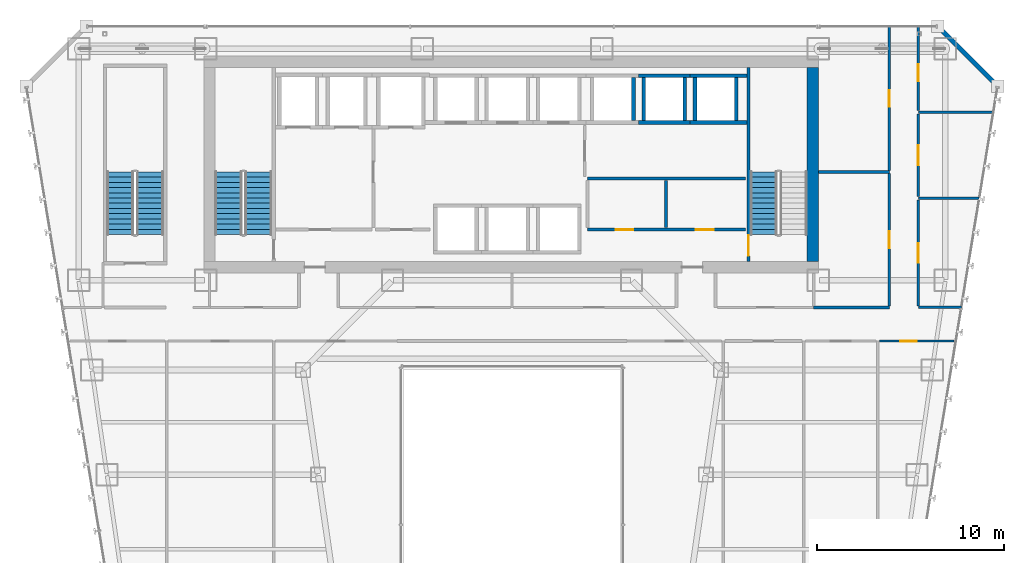
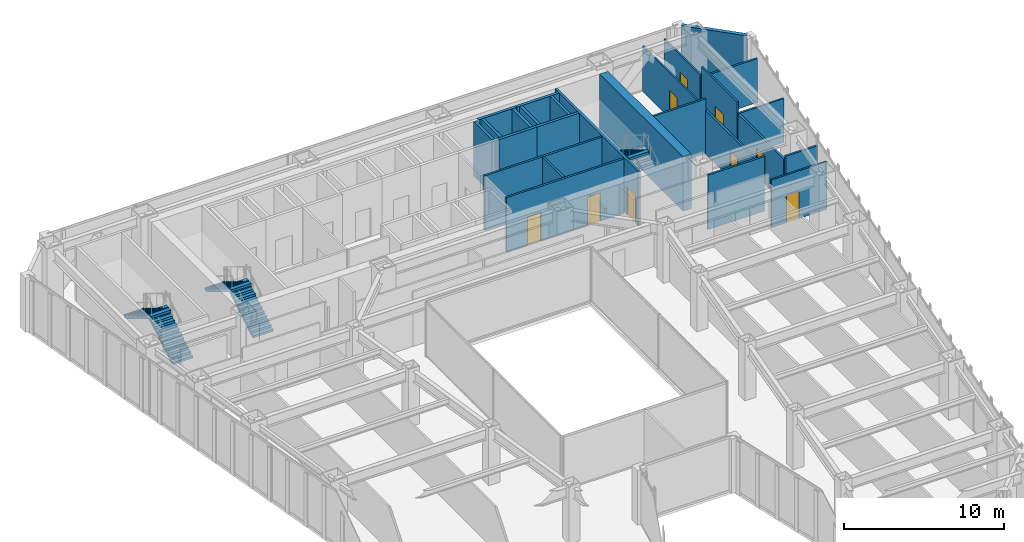
# One storey, part 38 of 47: 26 walls, 9 doors, 5 stair flights, 9 openings, 3 elements without a shape of their own.
"""IFC4 building model written with IfcOpenShell, lengths in metres."""

from ifc_helpers import new_model, si_unit, direction, frame, frame_2d, origin, place, context, subcontext, project, spatial, polyline, rectangle, outline, extrude, material, layer, layer_set, type_object, element, fill, aggregate, save


model = new_model("IFC4")

# Units and contexts
model_context = context("Model", 3, precision=1e-05, world=origin(), true_north=direction((0.0, 1.0)))
body_context = subcontext(model_context, "Body", "Model", "MODEL_VIEW")
ifc_project = project(units=[si_unit("LENGTHUNIT", "METRE"), si_unit("AREAUNIT", "SQUARE_METRE"), si_unit("VOLUMEUNIT", "CUBIC_METRE"), si_unit("PLANEANGLEUNIT", "RADIAN"), si_unit("MASSUNIT", "GRAM", prefix="KILO")], contexts=[model_context])

# Site, building, storey
site_placement = place(None, origin())
site = spatial("IfcSite", under=ifc_project, at=site_placement, CompositionType="ELEMENT")
building_placement = place(site_placement, origin())
building = spatial("IfcBuilding", under=site, at=building_placement, Name="Saevonmaru Cultural Tower", CompositionType="ELEMENT")
storey_placement = place(building_placement, frame((0.0, 0.0, 92.800048828125)))
storey = spatial("IfcBuildingStorey", under=building, at=storey_placement, Name="L19", CompositionType="ELEMENT", Elevation=92.800048828125)

# Wall
ifc_material_1 = material(Name="Concrete C60/75", Category="concrete")
ifc_layer_1 = layer(ifc_material_1, 0.60009765625, Name="Concrete C60/75")
ifc_layer_set_1 = layer_set([ifc_layer_1], Name="Concrete C60/75")
wall_type_1 = type_object("IfcWallType", Name="WL-CORE-600", PredefinedType="SHEAR", material=ifc_layer_set_1)
wall_1_placement = place(storey_placement, frame((46.10009765625, 43.39990234375, 0.0), z_axis=(0.0, 0.0, 1.0), x_axis=(0.0, 1.0, 0.0)))
element("IfcWall", 1, at=wall_1_placement, inside=storey, type_object=wall_type_1, Name="L19 Tower RC core shear wall E", PredefinedType="SHEAR", context=body_context, shape_type="SweptSolid", body=[
    extrude(rectangle(XDim=10.400146484375, YDim=0.60009765625, at=frame_2d((5.2001953125, 0.0))), origin(), (0.0, 0.0, 1.0), 4.14990234375),
])

# Wall, openings, doors
ifc_material_2 = material(Name="Gypsum Fireboard Partition", Category="gypsum")
ifc_layer_2 = layer(ifc_material_2, 0.14990234375, Name="Gypsum Fireboard Partition")
ifc_layer_set_2 = layer_set([ifc_layer_2], Name="Gypsum Fireboard Partition")
wall_type_2 = type_object("IfcWallType", Name="WL-CORE-PART-150", PredefinedType="PARTITIONING", material=ifc_layer_set_2)
wall_2_placement = place(storey_placement, frame((34.050048828125, 45.1201171875, 0.0), z_axis=(0.0, 0.0, 1.0), x_axis=(1.0, 0.0, 0.0)))
wall_2 = element("IfcWall", 2, at=wall_2_placement, inside=storey, type_object=wall_type_2, Name="L19 Core Plant South Wall", PredefinedType="PARTITIONING", context=body_context, shape_type="SweptSolid", body=[
    extrude(rectangle(XDim=8.449951171875, YDim=0.14990234375, at=frame_2d((4.22509765625, 0.0))), origin(), (0.0, 0.0, 1.0), 4.14990234375),
])
opening_1_placement = place(wall_2_placement, frame((1.5, 0.0, 0.0)))
opening_1 = element("IfcOpeningElement", 3, at=opening_1_placement, cuts=wall_2, Name="Opening FD-4", PredefinedType="OPENING", context=body_context, shape_type="SweptSolid", body=[
    extrude(rectangle(XDim=0.949951171875, YDim=2.14990234375, at=frame_2d((0.47509765625, 1.074951171875))), frame((0.0, 0.0849609375, 0.0), z_axis=(0.0, -1.0, 0.0), x_axis=(1.0, 0.0, 0.0)), (0.0, 0.0, 1.0), 0.169921875),
])
opening_2_placement = place(wall_2_placement, frame((5.800048828125, 0.0, 0.0)))
opening_2 = element("IfcOpeningElement", 4, at=opening_2_placement, cuts=wall_2, Name="Opening FD-4", PredefinedType="OPENING", context=body_context, shape_type="SweptSolid", body=[
    extrude(rectangle(XDim=0.949951171875, YDim=2.14990234375, at=frame_2d((0.47509765625, 1.074951171875))), frame((0.0, 0.0849609375, 0.0), z_axis=(0.0, -1.0, 0.0), x_axis=(1.0, 0.0, 0.0)), (0.0, 0.0, 1.0), 0.169921875),
])
ifc_material_3 = material(Name="Satin Bronze Anodised Aluminium", Category="aluminium")
door_type_1 = type_object("IfcDoorType", Name="DR-FD60-950", OperationType="SINGLE_SWING_LEFT", PredefinedType="DOOR", material=ifc_material_3)
door_1_placement = place(opening_1_placement, origin())
door_1 = element("IfcDoor", 5, at=door_1_placement, inside=storey, type_object=door_type_1, Name="L19 Floor AHU Plant Door", OperationType="SINGLE_SWING_LEFT", OverallHeight=2.14990234375, OverallWidth=0.949951171875, PredefinedType="DOOR", context=body_context, shape_type="SweptSolid", body=[
    extrude(rectangle(XDim=0.949951171875, YDim=2.14990234375, at=frame_2d((0.47509765625, 1.074951171875))), frame((0.0, 0.02490234375, 0.0), z_axis=(0.0, -1.0, 0.0), x_axis=(1.0, 0.0, 0.0)), (0.0, 0.0, 1.0), 0.050048828125),
])
fill(opening_1, door_1)
door_2_placement = place(opening_2_placement, origin())
door_2 = element("IfcDoor", 6, at=door_2_placement, inside=storey, type_object=door_type_1, Name="L19 Housekeeping Storage Door", OperationType="SINGLE_SWING_LEFT", OverallHeight=2.14990234375, OverallWidth=0.949951171875, PredefinedType="DOOR", context=body_context, shape_type="SweptSolid", body=[
    extrude(rectangle(XDim=0.949951171875, YDim=2.14990234375, at=frame_2d((0.47509765625, 1.074951171875))), frame((0.0, 0.02490234375, 0.0), z_axis=(0.0, -1.0, 0.0), x_axis=(1.0, 0.0, 0.0)), (0.0, 0.0, 1.0), 0.050048828125),
])
fill(opening_2, door_2)

# Walls
wall_3_placement = place(storey_placement, frame((34.050048828125, 47.85009765625, 0.0), z_axis=(0.0, 0.0, 1.0), x_axis=(1.0, 0.0, 0.0)))
element("IfcWall", 7, at=wall_3_placement, inside=storey, type_object=wall_type_2, Name="L19 Core Plant North Wall", PredefinedType="PARTITIONING", context=body_context, shape_type="SweptSolid", body=[
    extrude(rectangle(XDim=8.449951171875, YDim=0.14990234375, at=frame_2d((4.22509765625, 0.0))), origin(), (0.0, 0.0, 1.0), 4.14990234375),
])
wall_4_placement = place(storey_placement, frame((38.25, 45.219970703125, 0.0), z_axis=(0.0, 0.0, 1.0), x_axis=(0.0, 1.0, 0.0)))
element("IfcWall", 8, at=wall_4_placement, inside=storey, type_object=wall_type_2, Name="L19 Core Plant Split", PredefinedType="PARTITIONING", context=body_context, shape_type="SweptSolid", body=[
    extrude(rectangle(XDim=2.530029296875, YDim=0.14990234375, at=frame_2d((1.26513671875, 0.0))), origin(), (0.0, 0.0, 1.0), 4.14990234375),
])
ifc_material_4 = material(Name="Granite-Clad Precast Concrete C40/50", Category="masonry")
ifc_layer_3 = layer(ifc_material_4, 0.260009765625, Name="Granite-Clad Precast Concrete C40/50")
ifc_layer_set_3 = layer_set([ifc_layer_3], Name="Granite-Clad Precast Concrete C40/50")
wall_type_3 = type_object("IfcWallType", Name="WL-EXT-SPANDREL-260", PredefinedType="STANDARD", material=ifc_layer_set_3)
wall_5_placement = place(storey_placement, frame((55.886962890625, 52.9130859375, 0.0), z_axis=(0.0, 0.0, 1.0), x_axis=(-0.707106781187, 0.707106781187, 0.0)))
element("IfcWall", 9, at=wall_5_placement, inside=storey, type_object=wall_type_3, Name="L19 Chamfer Corner Spandrel Wall E9", PredefinedType="STANDARD", context=body_context, shape_type="SweptSolid", body=[
    extrude(rectangle(XDim=4.205810546875, YDim=0.260009765625, at=frame_2d((2.10302734375, 0.0))), origin(), (0.0, 0.0, 1.0), 4.14990234375),
])

# Wall, opening, door
ifc_layer_4 = layer(ifc_material_2, 0.14990234375, Name="Gypsum Fireboard Partition")
ifc_layer_set_4 = layer_set([ifc_layer_4], Name="Gypsum Fireboard Partition")
wall_type_4 = type_object("IfcWallType", Name="WL-PART-FIRE-150", PredefinedType="PARTITIONING", material=ifc_layer_set_4)
wall_6_placement = place(storey_placement, frame((51.75, 41.03759765625, 0.0), z_axis=(0.0, 0.0, 1.0), x_axis=(0.0, 1.0, 0.0)))
wall_6 = element("IfcWall", 10, at=wall_6_placement, inside=storey, type_object=wall_type_4, Name="L19 East Asian Ceramics Gallery Corridor Wall", PredefinedType="PARTITIONING", context=body_context, shape_type="SweptSolid", body=[
    extrude(rectangle(XDim=5.6748046875, YDim=0.14990234375, at=frame_2d((2.83740234375, 0.0))), origin(), (0.0, 0.0, 1.0), 3.3349609375),
])
opening_3_placement = place(wall_6_placement, frame((2.31201171875, 0.0, 0.0)))
opening_3 = element("IfcOpeningElement", 11, at=opening_3_placement, cuts=wall_6, Name="Opening ID-1", PredefinedType="OPENING", context=body_context, shape_type="SweptSolid", body=[
    extrude(rectangle(XDim=1.050048828125, YDim=2.14990234375, at=frame_2d((0.52490234375, 1.074951171875))), frame((0.0, 0.0849609375, 0.0), z_axis=(0.0, -1.0, 0.0), x_axis=(1.0, 0.0, 0.0)), (0.0, 0.0, 1.0), 0.169921875),
])
door_type_2 = type_object("IfcDoorType", Name="DR-INT-1050", OperationType="SINGLE_SWING_LEFT", PredefinedType="DOOR", material=ifc_material_3)
door_3_placement = place(opening_3_placement, origin())
door_3 = element("IfcDoor", 12, at=door_3_placement, inside=storey, type_object=door_type_2, Name="L19 East Asian Ceramics Gallery Door", OperationType="SINGLE_SWING_RIGHT", OverallHeight=2.14990234375, OverallWidth=1.050048828125, PredefinedType="DOOR", context=body_context, shape_type="SweptSolid", body=[
    extrude(rectangle(XDim=1.050048828125, YDim=2.14990234375, at=frame_2d((0.52490234375, 1.074951171875))), frame((0.0, 0.02490234375, 0.0), z_axis=(0.0, -1.0, 0.0), x_axis=(1.0, 0.0, 0.0)), (0.0, 0.0, 1.0), 0.050048828125),
])
fill(opening_3, door_3)

ifc_layer_5 = layer(ifc_material_2, 0.1201171875, Name="Gypsum Fireboard Partition")
ifc_layer_set_5 = layer_set([ifc_layer_5], Name="Gypsum Fireboard Partition")
wall_type_5 = type_object("IfcWallType", Name="WL-PART-GYP-120", PredefinedType="PARTITIONING", material=ifc_layer_set_5)
wall_7_placement = place(storey_placement, frame((50.199951171875, 48.2900390625, 0.0), z_axis=(0.0, 0.0, 1.0), x_axis=(0.0, 1.0, 0.0)))
wall_7 = element("IfcWall", 13, at=wall_7_placement, inside=storey, type_object=wall_type_5, Name="L19 Urban Design Meeting Room Corridor Wall", PredefinedType="PARTITIONING", context=body_context, shape_type="SweptSolid", body=[
    extrude(rectangle(XDim=7.705078125, YDim=0.1201171875, at=frame_2d((3.8525390625, 0.0))), origin(), (0.0, 0.0, 1.0), 3.43505859375),
])
opening_4_placement = place(wall_7_placement, frame((3.402099609375, 0.0, 0.0)))
opening_4 = element("IfcOpeningElement", 14, at=opening_4_placement, cuts=wall_7, Name="Opening ID-2", PredefinedType="OPENING", context=body_context, shape_type="SweptSolid", body=[
    extrude(rectangle(XDim=0.89990234375, YDim=2.10009765625, at=frame_2d((0.449951171875, 1.050048828125))), frame((0.0, 0.070068359375, 0.0), z_axis=(0.0, -1.0, 0.0), x_axis=(1.0, 0.0, 0.0)), (0.0, 0.0, 1.0), 0.14013671875),
])
ifc_material_5 = material(Name="Acoustic Stained Oak Timber", Category="wood")
door_type_3 = type_object("IfcDoorType", Name="DR-INT-900", OperationType="SINGLE_SWING_RIGHT", PredefinedType="DOOR", material=ifc_material_5)
door_4_placement = place(opening_4_placement, origin())
door_4 = element("IfcDoor", 15, at=door_4_placement, inside=storey, type_object=door_type_3, Name="L19 Urban Design Meeting Room Door", OperationType="SINGLE_SWING_LEFT", OverallHeight=2.10009765625, OverallWidth=0.89990234375, PredefinedType="DOOR", context=body_context, shape_type="SweptSolid", body=[
    extrude(rectangle(XDim=0.89990234375, YDim=2.10009765625, at=frame_2d((0.449951171875, 1.050048828125))), frame((0.0, 0.02490234375, 0.0), z_axis=(0.0, -1.0, 0.0), x_axis=(1.0, 0.0, 0.0)), (0.0, 0.0, 1.0), 0.050048828125),
])
fill(opening_4, door_4)

wall_8_placement = place(storey_placement, frame((51.75, 46.887451171875, 0.0), z_axis=(0.0, 0.0, 1.0), x_axis=(0.0, 1.0, 0.0)))
wall_8 = element("IfcWall", 16, at=wall_8_placement, inside=storey, type_object=wall_type_5, Name="L19 Rare Folio Reading Room Corridor Wall", PredefinedType="PARTITIONING", context=body_context, shape_type="SweptSolid", body=[
    extrude(rectangle(XDim=4.425048828125, YDim=0.1201171875, at=frame_2d((2.21240234375, 0.0))), origin(), (0.0, 0.0, 1.0), 4.14990234375),
])
opening_5_placement = place(wall_8_placement, frame((1.68701171875, 0.0, 0.0)))
opening_5 = element("IfcOpeningElement", 17, at=opening_5_placement, cuts=wall_8, Name="Opening ID-1", PredefinedType="OPENING", context=body_context, shape_type="SweptSolid", body=[
    extrude(rectangle(XDim=1.050048828125, YDim=2.14990234375, at=frame_2d((0.52490234375, 1.074951171875))), frame((0.0, 0.070068359375, 0.0), z_axis=(0.0, -1.0, 0.0), x_axis=(1.0, 0.0, 0.0)), (0.0, 0.0, 1.0), 0.14013671875),
])
door_5_placement = place(opening_5_placement, origin())
door_5 = element("IfcDoor", 18, at=door_5_placement, inside=storey, type_object=door_type_2, Name="L19 Rare Folio Reading Room Door", OperationType="SINGLE_SWING_LEFT", OverallHeight=2.14990234375, OverallWidth=1.050048828125, PredefinedType="DOOR", context=body_context, shape_type="SweptSolid", body=[
    extrude(rectangle(XDim=1.050048828125, YDim=2.14990234375, at=frame_2d((0.52490234375, 1.074951171875))), frame((0.0, 0.02490234375, 0.0), z_axis=(0.0, -1.0, 0.0), x_axis=(1.0, 0.0, 0.0)), (0.0, 0.0, 1.0), 0.050048828125),
])
fill(opening_5, door_5)

wall_9_placement = place(storey_placement, frame((51.75, 51.487548828125, 0.0), z_axis=(0.0, 0.0, 1.0), x_axis=(0.0, 1.0, 0.0)))
wall_9 = element("IfcWall", 19, at=wall_9_placement, inside=storey, type_object=wall_type_5, Name="L19 Translation Research Office Corridor Wall", PredefinedType="PARTITIONING", context=body_context, shape_type="SweptSolid", body=[
    extrude(rectangle(XDim=4.507568359375, YDim=0.1201171875, at=frame_2d((2.25390625, 0.0))), origin(), (0.0, 0.0, 1.0), 3.43505859375),
])
opening_6_placement = place(wall_9_placement, frame((1.583984375, 0.0, 0.0)))
opening_6 = element("IfcOpeningElement", 20, at=opening_6_placement, cuts=wall_9, Name="Opening ID-2", PredefinedType="OPENING", context=body_context, shape_type="SweptSolid", body=[
    extrude(rectangle(XDim=0.89990234375, YDim=2.10009765625, at=frame_2d((0.449951171875, 1.050048828125))), frame((0.0, 0.070068359375, 0.0), z_axis=(0.0, -1.0, 0.0), x_axis=(1.0, 0.0, 0.0)), (0.0, 0.0, 1.0), 0.14013671875),
])
door_6_placement = place(opening_6_placement, origin())
door_6 = element("IfcDoor", 21, at=door_6_placement, inside=storey, type_object=door_type_3, Name="L19 Translation Research Office Door", OperationType="SINGLE_SWING_RIGHT", OverallHeight=2.10009765625, OverallWidth=0.89990234375, PredefinedType="DOOR", context=body_context, shape_type="SweptSolid", body=[
    extrude(rectangle(XDim=0.89990234375, YDim=2.10009765625, at=frame_2d((0.449951171875, 1.050048828125))), frame((0.0, 0.02490234375, 0.0), z_axis=(0.0, -1.0, 0.0), x_axis=(1.0, 0.0, 0.0)), (0.0, 0.0, 1.0), 0.050048828125),
])
fill(opening_6, door_6)

wall_10_placement = place(storey_placement, frame((49.66748046875, 39.14990234375, 0.0), z_axis=(0.0, 0.0, 1.0), x_axis=(1.0, 0.0, 0.0)))
wall_10 = element("IfcWall", 22, at=wall_10_placement, inside=storey, type_object=wall_type_5, Name="L19 Translation Research Office Corridor Wall", PredefinedType="PARTITIONING", context=body_context, shape_type="SweptSolid", body=[
    extrude(rectangle(XDim=3.99853515625, YDim=0.1201171875, at=frame_2d((1.999267578125, 0.0))), origin(), (0.0, 0.0, 1.0), 3.635009765625),
])
opening_7_placement = place(wall_10_placement, frame((1.10888671875, 0.0, 0.0)))
opening_7 = element("IfcOpeningElement", 23, at=opening_7_placement, cuts=wall_10, Name="Opening ID-2", PredefinedType="OPENING", context=body_context, shape_type="SweptSolid", body=[
    extrude(rectangle(XDim=0.89990234375, YDim=2.10009765625, at=frame_2d((0.449951171875, 1.050048828125))), frame((0.0, 0.070068359375, 0.0), z_axis=(0.0, -1.0, 0.0), x_axis=(1.0, 0.0, 0.0)), (0.0, 0.0, 1.0), 0.14013671875),
])
door_7_placement = place(opening_7_placement, origin())
door_7 = element("IfcDoor", 24, at=door_7_placement, inside=storey, type_object=door_type_3, Name="L19 Translation Research Office Door", OperationType="SINGLE_SWING_LEFT", OverallHeight=2.10009765625, OverallWidth=0.89990234375, PredefinedType="DOOR", context=body_context, shape_type="SweptSolid", body=[
    extrude(rectangle(XDim=0.89990234375, YDim=2.10009765625, at=frame_2d((0.449951171875, 1.050048828125))), frame((0.0, 0.02490234375, 0.0), z_axis=(0.0, -1.0, 0.0), x_axis=(1.0, 0.0, 0.0)), (0.0, 0.0, 1.0), 0.050048828125),
])
fill(opening_7, door_7)

# Walls
ifc_layer_6 = layer(ifc_material_2, 0.135009765625, Name="Gypsum Fireboard Partition")
ifc_layer_set_6 = layer_set([ifc_layer_6], Name="Gypsum Fireboard Partition")
wall_type_6 = type_object("IfcWallType", Name="WL-PART-GYP-135", PredefinedType="PARTITIONING", material=ifc_layer_set_6)
wall_11_placement = place(storey_placement, frame((51.75, 40.949951171875, 0.0), z_axis=(0.0, 0.0, 1.0), x_axis=(1.0, 0.0, 0.0)))
element("IfcWall", 25, at=wall_11_placement, inside=storey, type_object=wall_type_6, Name="L19 NE Wing South Wall", PredefinedType="PARTITIONING", context=body_context, shape_type="SweptSolid", body=[
    extrude(rectangle(XDim=2.302978515625, YDim=0.135009765625, at=frame_2d((1.1513671875, 0.0))), origin(), (0.0, 0.0, 1.0), 3.635009765625),
])
wall_12_placement = place(storey_placement, frame((51.75, 46.800048828125, 0.0), z_axis=(0.0, 0.0, 1.0), x_axis=(1.0, 0.0, 0.0)))
element("IfcWall", 26, at=wall_12_placement, inside=storey, type_object=wall_type_6, Name="L19 NE Studio Divider 1", PredefinedType="PARTITIONING", context=body_context, shape_type="SweptSolid", body=[
    extrude(rectangle(XDim=3.26171875, YDim=0.135009765625, at=frame_2d((1.630859375, 0.0))), origin(), (0.0, 0.0, 1.0), 3.3349609375),
])
wall_13_placement = place(storey_placement, frame((51.75, 51.39990234375, 0.0), z_axis=(0.0, 0.0, 1.0), x_axis=(1.0, 0.0, 0.0)))
element("IfcWall", 27, at=wall_13_placement, inside=storey, type_object=wall_type_6, Name="L19 NE Studio Divider 2", PredefinedType="PARTITIONING", context=body_context, shape_type="SweptSolid", body=[
    extrude(rectangle(XDim=4.015380859375, YDim=0.135009765625, at=frame_2d((2.0078125, 0.0))), origin(), (0.0, 0.0, 1.0), 3.3349609375),
])
ifc_layer_7 = layer(ifc_material_2, 0.139892578125, Name="Gypsum Fireboard Partition")
ifc_layer_set_7 = layer_set([ifc_layer_7], Name="Gypsum Fireboard Partition")
wall_type_7 = type_object("IfcWallType", Name="WL-PART-WET-140", PredefinedType="PARTITIONING", material=ifc_layer_set_7)
wall_14_placement = place(storey_placement, frame((46.14990234375, 40.949951171875, 0.0), z_axis=(0.0, 0.0, 1.0), x_axis=(1.0, 0.0, 0.0)))
element("IfcWall", 28, at=wall_14_placement, inside=storey, type_object=wall_type_7, Name="L19 Washroom South Wall", PredefinedType="PARTITIONING", context=body_context, shape_type="SweptSolid", body=[
    extrude(rectangle(XDim=4.050048828125, YDim=0.139892578125, at=frame_2d((2.02490234375, 0.0))), origin(), (0.0, 0.0, 1.0), 4.14990234375),
])
wall_15_placement = place(storey_placement, frame((46.419921875, 48.199951171875, 0.0), z_axis=(0.0, 0.0, 1.0), x_axis=(1.0, 0.0, 0.0)))
element("IfcWall", 29, at=wall_15_placement, inside=storey, type_object=wall_type_7, Name="L19 Washroom North Wall", PredefinedType="PARTITIONING", context=body_context, shape_type="SweptSolid", body=[
    extrude(rectangle(XDim=3.780029296875, YDim=0.139892578125, at=frame_2d((1.89013671875, 0.0))), origin(), (0.0, 0.0, 1.0), 4.14990234375),
])

# Wall, opening, door
wall_16_placement = place(storey_placement, frame((50.199951171875, 41.0400390625, 0.0), z_axis=(0.0, 0.0, 1.0), x_axis=(0.0, 1.0, 0.0)))
wall_16 = element("IfcWall", 30, at=wall_16_placement, inside=storey, type_object=wall_type_7, Name="L19 Washroom Corridor Wall", PredefinedType="PARTITIONING", context=body_context, shape_type="SweptSolid", body=[
    extrude(rectangle(XDim=7.070068359375, YDim=0.139892578125, at=frame_2d((3.53515625, 0.0))), origin(), (0.0, 0.0, 1.0), 3.3349609375),
])
opening_8_placement = place(wall_16_placement, frame((3.0849609375, 0.0, 0.0)))
opening_8 = element("IfcOpeningElement", 31, at=opening_8_placement, cuts=wall_16, Name="Opening ID-2", PredefinedType="OPENING", context=body_context, shape_type="SweptSolid", body=[
    extrude(rectangle(XDim=0.89990234375, YDim=2.10009765625, at=frame_2d((0.449951171875, 1.050048828125))), frame((0.0, 0.080078125, 0.0), z_axis=(0.0, -1.0, 0.0), x_axis=(1.0, 0.0, 0.0)), (0.0, 0.0, 1.0), 0.159912109375),
])
door_8_placement = place(opening_8_placement, origin())
door_8 = element("IfcDoor", 32, at=door_8_placement, inside=storey, type_object=door_type_3, Name="L19 Public Accessible Washrooms Door", OperationType="SINGLE_SWING_RIGHT", OverallHeight=2.10009765625, OverallWidth=0.89990234375, PredefinedType="DOOR", context=body_context, shape_type="SweptSolid", body=[
    extrude(rectangle(XDim=0.89990234375, YDim=2.10009765625, at=frame_2d((0.449951171875, 1.050048828125))), frame((0.0, 0.02490234375, 0.0), z_axis=(0.0, -1.0, 0.0), x_axis=(1.0, 0.0, 0.0)), (0.0, 0.0, 1.0), 0.050048828125),
])
fill(opening_8, door_8)

# Walls
ifc_material_6 = material(Name="Concrete C40/50", Category="concrete")
ifc_layer_8 = layer(ifc_material_6, 0.199951171875, Name="Concrete C40/50")
ifc_layer_set_8 = layer_set([ifc_layer_8], Name="Concrete C40/50")
wall_type_8 = type_object("IfcWallType", Name="WL-SHAFT-200", PredefinedType="SHEAR", material=ifc_layer_set_8)
wall_17_placement = place(storey_placement, frame((36.5, 50.949951171875, 0.0), z_axis=(0.0, 0.0, 1.0), x_axis=(0.0, 1.0, 0.0)))
element("IfcWall", 33, at=wall_17_placement, inside=storey, type_object=wall_type_8, Name="L19 Lift PL-H1 Hoistway Wall E", PredefinedType="SHEAR", context=body_context, shape_type="SweptSolid", body=[
    extrude(rectangle(XDim=2.300048828125, YDim=0.199951171875, at=frame_2d((1.14990234375, 0.0))), origin(), (0.0, 0.0, 1.0), 4.14990234375),
])
for number, where, z_axis, x_axis, name in (
    (34, (36.77490234375, 50.85009765625, 0.0), (0.0, 0.0, 1.0), (1.0, 0.0, 0.0), "L19 Lift PL-H2 Hoistway Wall S"),
    (35, (36.77490234375, 53.35009765625, 0.0), (0.0, 0.0, 1.0), (1.0, 0.0, 0.0), "L19 Lift PL-H2 Hoistway Wall N"),
):
    element("IfcWall", number, at=place(storey_placement, frame(where, z_axis=z_axis, x_axis=x_axis)), inside=storey, type_object=wall_type_8, Name=name, PredefinedType="SHEAR", context=body_context, shape_type="SweptSolid", body=[
        extrude(rectangle(XDim=2.75, YDim=0.199951171875, at=frame_2d((1.375, 0.0))), origin(), (0.0, 0.0, 1.0), 4.14990234375),
    ])
for number, where, z_axis, x_axis, name in (
    (36, (37.050048828125, 50.949951171875, 0.0), (0.0, 0.0, 1.0), (0.0, 1.0, 0.0), "L19 Lift PL-H2 Hoistway Wall W"),
    (37, (39.25, 50.949951171875, 0.0), (0.0, 0.0, 1.0), (0.0, 1.0, 0.0), "L19 Lift PL-H2 Hoistway Wall E"),
):
    element("IfcWall", number, at=place(storey_placement, frame(where, z_axis=z_axis, x_axis=x_axis)), inside=storey, type_object=wall_type_8, Name=name, PredefinedType="SHEAR", context=body_context, shape_type="SweptSolid", body=[
        extrude(rectangle(XDim=2.300048828125, YDim=0.199951171875, at=frame_2d((1.14990234375, 0.0))), origin(), (0.0, 0.0, 1.0), 4.14990234375),
    ])
for number, where, z_axis, x_axis, name in (
    (38, (39.52490234375, 50.85009765625, 0.0), (0.0, 0.0, 1.0), (1.0, 0.0, 0.0), "L19 Lift PL-H3 Hoistway Wall S"),
    (39, (39.52490234375, 53.35009765625, 0.0), (0.0, 0.0, 1.0), (1.0, 0.0, 0.0), "L19 Lift PL-H3 Hoistway Wall N"),
):
    element("IfcWall", number, at=place(storey_placement, frame(where, z_axis=z_axis, x_axis=x_axis)), inside=storey, type_object=wall_type_8, Name=name, PredefinedType="SHEAR", context=body_context, shape_type="SweptSolid", body=[
        extrude(rectangle(XDim=3.045166015625, YDim=0.199951171875, at=frame_2d((1.5224609375, 0.0))), origin(), (0.0, 0.0, 1.0), 4.14990234375),
    ])
for number, where, z_axis, x_axis, name in (
    (40, (39.800048828125, 50.949951171875, 0.0), (0.0, 0.0, 1.0), (0.0, 1.0, 0.0), "L19 Lift PL-H3 Hoistway Wall W"),
    (41, (42.0, 50.949951171875, 0.0), (0.0, 0.0, 1.0), (0.0, 1.0, 0.0), "L19 Lift PL-H3 Hoistway Wall E"),
):
    element("IfcWall", number, at=place(storey_placement, frame(where, z_axis=z_axis, x_axis=x_axis)), inside=storey, type_object=wall_type_8, Name=name, PredefinedType="SHEAR", context=body_context, shape_type="SweptSolid", body=[
        extrude(rectangle(XDim=2.300048828125, YDim=0.199951171875, at=frame_2d((1.14990234375, 0.0))), origin(), (0.0, 0.0, 1.0), 4.14990234375),
    ])

# Wall, opening, door
ifc_layer_9 = layer(ifc_material_6, 0.179931640625, Name="Concrete C40/50")
ifc_layer_set_9 = layer_set([ifc_layer_9], Name="Concrete C40/50")
wall_type_9 = type_object("IfcWallType", Name="WL-STSHAFT-180", PredefinedType="SHEAR", material=ifc_layer_set_9)
wall_18_placement = place(storey_placement, frame((42.659912109375, 53.800048828125, 0.0), z_axis=(0.0, 0.0, 1.0), x_axis=(0.0, -1.0, 0.0)))
wall_18 = element("IfcWall", 42, at=wall_18_placement, inside=storey, type_object=wall_type_9, Name="L19 Stair ST-2 Structural Shaft Wall 1", PredefinedType="SHEAR", context=body_context, shape_type="SweptSolid", body=[
    extrude(rectangle(XDim=10.400146484375, YDim=0.179931640625, at=frame_2d((5.2001953125, 0.0))), origin(), (0.0, 0.0, 1.0), 4.14990234375),
])
opening_9_placement = place(wall_18_placement, frame((8.989990234375, 0.0, 0.0)))
opening_9 = element("IfcOpeningElement", 43, at=opening_9_placement, cuts=wall_18, Name="Opening FD-2", PredefinedType="OPENING", context=body_context, shape_type="SweptSolid", body=[
    extrude(rectangle(XDim=1.10009765625, YDim=2.14990234375, at=frame_2d((0.550048828125, 1.074951171875))), frame((0.0, 0.10009765625, 0.0), z_axis=(0.0, -1.0, 0.0), x_axis=(1.0, 0.0, 0.0)), (0.0, 0.0, 1.0), 0.199951171875),
])
door_type_4 = type_object("IfcDoorType", Name="DR-FD60-1100", OperationType="SINGLE_SWING_LEFT", PredefinedType="DOOR", material=ifc_material_3)
door_9_placement = place(opening_9_placement, origin())
door_9 = element("IfcDoor", 44, at=door_9_placement, inside=storey, type_object=door_type_4, Name="L19 Protected Stair ST-2 Fire Door", OperationType="SINGLE_SWING_LEFT", OverallHeight=2.14990234375, OverallWidth=1.10009765625, PredefinedType="DOOR", context=body_context, shape_type="SweptSolid", body=[
    extrude(rectangle(XDim=1.10009765625, YDim=2.14990234375, at=frame_2d((0.550048828125, 1.074951171875))), frame((0.0, 0.02490234375, 0.0), z_axis=(0.0, -1.0, 0.0), x_axis=(1.0, 0.0, 0.0)), (0.0, 0.0, 1.0), 0.050048828125),
])
fill(opening_9, door_9)

# Stair, stair flights
stair_type = type_object("IfcStairType", Name="STR-DOGLEG-RC", PredefinedType="HALF_TURN_STAIR", material=ifc_material_6)
stair_1_placement = place(storey_placement, origin())
stair_1 = element("IfcStair", 45, at=stair_1_placement, inside=storey, type_object=stair_type, Name="L19 Protected exit stair ST-1", PredefinedType="HALF_TURN_STAIR")
ifc_material_7 = material(Name="Precast concrete C40/50", Category="concrete")
stair_flight_type = type_object("IfcStairFlightType", Name="STF-PRECAST-180", PredefinedType="STRAIGHT", material=ifc_material_7)
stair_flight_1_placement = place(storey_placement, frame((16.425048828125, 44.85009765625, 0.0), z_axis=(0.0, 0.0, 1.0), x_axis=(0.0, 1.0, 0.0)))
stair_flight_1 = element("IfcStairFlight", 46, at=stair_flight_1_placement, type_object=stair_flight_type, Name="ST-1-L19 flight 1", NumberOfRisers=13, NumberOfTreads=12, PredefinedType="STRAIGHT", RiserHeight=0.169230769, TreadLength=0.28, context=body_context, shape_type="SweptSolid", body=[
    extrude(outline(polyline([(0.0, 0.0), (0.0, 0.169189453125), (0.280029296875, 0.169189453125), (0.280029296875, 0.33837890625), (0.56005859375, 0.33837890625), (0.56005859375, 0.5078125), (0.840087890625, 0.5078125), (0.840087890625, 0.677001953125), (1.1201171875, 0.677001953125), (1.1201171875, 0.84619140625), (1.39990234375, 0.84619140625), (1.39990234375, 1.015380859375), (1.679931640625, 1.015380859375), (1.679931640625, 1.1845703125), (1.9599609375, 1.1845703125), (1.9599609375, 1.353759765625), (2.239990234375, 1.353759765625), (2.239990234375, 1.523193359375), (2.52001953125, 1.523193359375), (2.52001953125, 1.6923828125), (2.800048828125, 1.6923828125), (2.800048828125, 1.861572265625), (3.080078125, 1.861572265625), (3.080078125, 2.03076171875), (3.360107421875, 2.03076171875), (3.360107421875, 2.199951171875), (3.360107421875, 1.855712890625), (0.289794921875, 0.0), (0.0, 0.0)])), frame((0.0, 0.72509765625, 0.0), z_axis=(0.0, -1.0, 0.0), x_axis=(1.0, 0.0, 0.0)), (0.0, 0.0, 1.0), 1.449951171875),
])
stair_flight_2_placement = place(storey_placement, frame((14.824951171875, 48.2099609375, 2.199951171875), z_axis=(0.0, 0.0, 1.0), x_axis=(0.0, -1.0, 0.0)))
stair_flight_2 = element("IfcStairFlight", 47, at=stair_flight_2_placement, type_object=stair_flight_type, Name="ST-1-L19 flight 2", NumberOfRisers=13, NumberOfTreads=12, PredefinedType="STRAIGHT", RiserHeight=0.169230769, TreadLength=0.28, context=body_context, shape_type="SweptSolid", body=[
    extrude(outline(polyline([(0.0, 0.0), (0.0, 0.169189453125), (0.280029296875, 0.169189453125), (0.280029296875, 0.33837890625), (0.56005859375, 0.33837890625), (0.56005859375, 0.5078125), (0.840087890625, 0.5078125), (0.840087890625, 0.677001953125), (1.1201171875, 0.677001953125), (1.1201171875, 0.84619140625), (1.39990234375, 0.84619140625), (1.39990234375, 1.015380859375), (1.679931640625, 1.015380859375), (1.679931640625, 1.1845703125), (1.9599609375, 1.1845703125), (1.9599609375, 1.353759765625), (2.239990234375, 1.353759765625), (2.239990234375, 1.523193359375), (2.52001953125, 1.523193359375), (2.52001953125, 1.6923828125), (2.800048828125, 1.6923828125), (2.800048828125, 1.861572265625), (3.080078125, 1.861572265625), (3.080078125, 2.03076171875), (3.360107421875, 2.03076171875), (3.360107421875, 2.199951171875), (3.360107421875, 1.855712890625), (0.289794921875, 0.0), (0.0, 0.0)])), frame((0.0, 0.72509765625, 0.0), z_axis=(0.0, -1.0, 0.0), x_axis=(1.0, 0.0, 0.0)), (0.0, 0.0, 1.0), 1.449951171875),
])
aggregate(stair_1, [stair_flight_1, stair_flight_2])

# Stair, stair flight
stair_2_placement = place(storey_placement, origin())
stair_2 = element("IfcStair", 48, at=stair_2_placement, inside=storey, type_object=stair_type, Name="L19 Protected exit stair ST-2", PredefinedType="HALF_TURN_STAIR")
stair_flight_3_placement = place(storey_placement, frame((43.47509765625, 48.2099609375, 2.199951171875), z_axis=(0.0, 0.0, 1.0), x_axis=(0.0, -1.0, 0.0)))
stair_flight_3 = element("IfcStairFlight", 49, at=stair_flight_3_placement, type_object=stair_flight_type, Name="ST-2-L19 flight 2", NumberOfRisers=13, NumberOfTreads=12, PredefinedType="STRAIGHT", RiserHeight=0.169230769, TreadLength=0.28, context=body_context, shape_type="SweptSolid", body=[
    extrude(outline(polyline([(0.0, 0.0), (0.0, 0.169189453125), (0.280029296875, 0.169189453125), (0.280029296875, 0.33837890625), (0.56005859375, 0.33837890625), (0.56005859375, 0.5078125), (0.840087890625, 0.5078125), (0.840087890625, 0.677001953125), (1.1201171875, 0.677001953125), (1.1201171875, 0.84619140625), (1.39990234375, 0.84619140625), (1.39990234375, 1.015380859375), (1.679931640625, 1.015380859375), (1.679931640625, 1.1845703125), (1.9599609375, 1.1845703125), (1.9599609375, 1.353759765625), (2.239990234375, 1.353759765625), (2.239990234375, 1.523193359375), (2.52001953125, 1.523193359375), (2.52001953125, 1.6923828125), (2.800048828125, 1.6923828125), (2.800048828125, 1.861572265625), (3.080078125, 1.861572265625), (3.080078125, 2.03076171875), (3.360107421875, 2.03076171875), (3.360107421875, 2.199951171875), (3.360107421875, 1.855712890625), (0.289794921875, 0.0), (0.0, 0.0)])), frame((0.0, 0.72509765625, 0.0), z_axis=(0.0, -1.0, 0.0), x_axis=(1.0, 0.0, 0.0)), (0.0, 0.0, 1.0), 1.449951171875),
])
aggregate(stair_2, [stair_flight_3])

# Stair, stair flights
stair_3_placement = place(storey_placement, origin())
stair_3 = element("IfcStair", 50, at=stair_3_placement, inside=storey, type_object=stair_type, Name="L19 Protected exit stair ST-3", PredefinedType="HALF_TURN_STAIR")
stair_flight_4_placement = place(storey_placement, frame((10.625, 44.85009765625, 0.0), z_axis=(0.0, 0.0, 1.0), x_axis=(0.0, 1.0, 0.0)))
stair_flight_4 = element("IfcStairFlight", 51, at=stair_flight_4_placement, type_object=stair_flight_type, Name="ST-3-L19 flight 1", NumberOfRisers=13, NumberOfTreads=12, PredefinedType="STRAIGHT", RiserHeight=0.169230769, TreadLength=0.28, context=body_context, shape_type="SweptSolid", body=[
    extrude(outline(polyline([(0.0, 0.0), (0.0, 0.169189453125), (0.280029296875, 0.169189453125), (0.280029296875, 0.33837890625), (0.56005859375, 0.33837890625), (0.56005859375, 0.5078125), (0.840087890625, 0.5078125), (0.840087890625, 0.677001953125), (1.1201171875, 0.677001953125), (1.1201171875, 0.84619140625), (1.39990234375, 0.84619140625), (1.39990234375, 1.015380859375), (1.679931640625, 1.015380859375), (1.679931640625, 1.1845703125), (1.9599609375, 1.1845703125), (1.9599609375, 1.353759765625), (2.239990234375, 1.353759765625), (2.239990234375, 1.523193359375), (2.52001953125, 1.523193359375), (2.52001953125, 1.6923828125), (2.800048828125, 1.6923828125), (2.800048828125, 1.861572265625), (3.080078125, 1.861572265625), (3.080078125, 2.03076171875), (3.360107421875, 2.03076171875), (3.360107421875, 2.199951171875), (3.360107421875, 1.855712890625), (0.289794921875, 0.0), (0.0, 0.0)])), frame((0.0, 0.72509765625, 0.0), z_axis=(0.0, -1.0, 0.0), x_axis=(1.0, 0.0, 0.0)), (0.0, 0.0, 1.0), 1.449951171875),
])
stair_flight_5_placement = place(storey_placement, frame((9.02490234375, 48.2099609375, 2.199951171875), z_axis=(0.0, 0.0, 1.0), x_axis=(0.0, -1.0, 0.0)))
stair_flight_5 = element("IfcStairFlight", 52, at=stair_flight_5_placement, type_object=stair_flight_type, Name="ST-3-L19 flight 2", NumberOfRisers=13, NumberOfTreads=12, PredefinedType="STRAIGHT", RiserHeight=0.169230769, TreadLength=0.28, context=body_context, shape_type="SweptSolid", body=[
    extrude(outline(polyline([(0.0, 0.0), (0.0, 0.169189453125), (0.280029296875, 0.169189453125), (0.280029296875, 0.33837890625), (0.56005859375, 0.33837890625), (0.56005859375, 0.5078125), (0.840087890625, 0.5078125), (0.840087890625, 0.677001953125), (1.1201171875, 0.677001953125), (1.1201171875, 0.84619140625), (1.39990234375, 0.84619140625), (1.39990234375, 1.015380859375), (1.679931640625, 1.015380859375), (1.679931640625, 1.1845703125), (1.9599609375, 1.1845703125), (1.9599609375, 1.353759765625), (2.239990234375, 1.353759765625), (2.239990234375, 1.523193359375), (2.52001953125, 1.523193359375), (2.52001953125, 1.6923828125), (2.800048828125, 1.6923828125), (2.800048828125, 1.861572265625), (3.080078125, 1.861572265625), (3.080078125, 2.03076171875), (3.360107421875, 2.03076171875), (3.360107421875, 2.199951171875), (3.360107421875, 1.855712890625), (0.289794921875, 0.0), (0.0, 0.0)])), frame((0.0, 0.72509765625, 0.0), z_axis=(0.0, -1.0, 0.0), x_axis=(1.0, 0.0, 0.0)), (0.0, 0.0, 1.0), 1.449951171875),
])
aggregate(stair_3, [stair_flight_4, stair_flight_5])

save(model, "model.ifc")
